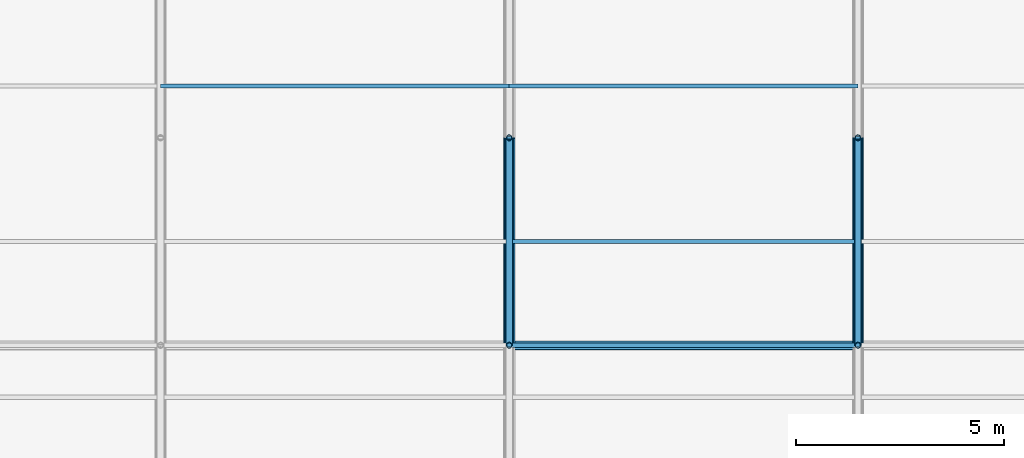
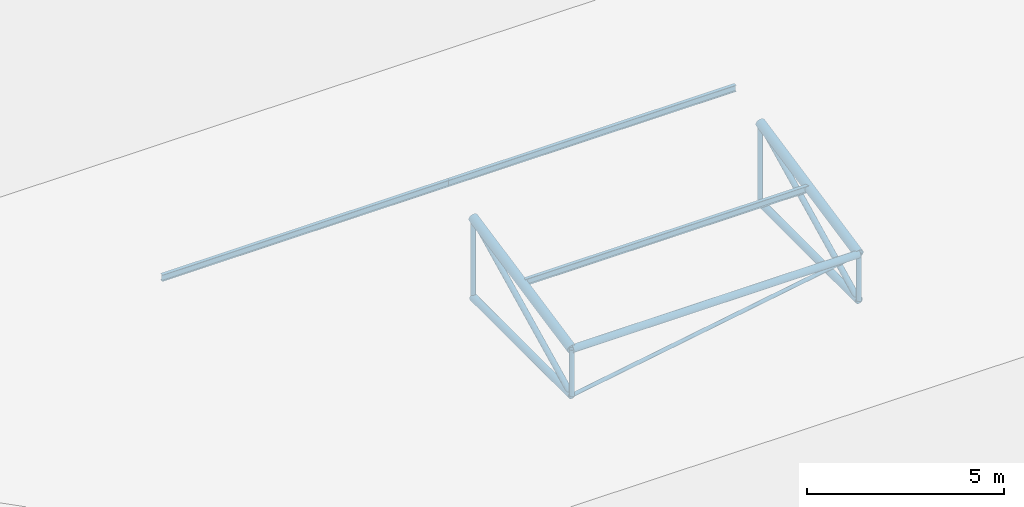
# One storey, part 42 of 194: 12 members, 3 beams.
"""IFC4 building model written with IfcOpenShell, lengths in metres."""

from ifc_helpers import new_model, si_unit, direction, frame, origin, origin_2d, place, context, subcontext, project, spatial, hollow_circle, i_section, extrude, material, material_profile, profile_set, type_object, element, save


model = new_model("IFC4")

# Units and contexts
model_context = context("Model", 3, precision=1e-05, world=origin(), true_north=direction((0.0, 1.0)))
body_context = subcontext(model_context, "Body", "Model", "MODEL_VIEW")
ifc_project = project(units=[si_unit("LENGTHUNIT", "METRE"), si_unit("AREAUNIT", "SQUARE_METRE"), si_unit("VOLUMEUNIT", "CUBIC_METRE"), si_unit("PLANEANGLEUNIT", "RADIAN"), si_unit("MASSUNIT", "GRAM", prefix="KILO")], contexts=[model_context])

# Site, building, storey
site_placement = place(None, origin())
site = spatial("IfcSite", under=ifc_project, at=site_placement, CompositionType="ELEMENT")
building_placement = place(site_placement, origin())
building = spatial("IfcBuilding", under=site, at=building_placement, Name="Kazenagashi Tramway Depot", CompositionType="ELEMENT")
storey_placement = place(building_placement, frame((0.0, 0.0, 23.7)))
storey = spatial("IfcBuildingStorey", under=building, at=storey_placement, Name="ROOF", CompositionType="ELEMENT", Elevation=23.7)

# Beams
ifc_material_1 = material(Name="Steel SN400B", Category="steel")
ifc_material_profile_1 = material_profile(ifc_material_1, i_section(OverallWidth=0.1, OverallDepth=0.2, WebThickness=0.0055, FlangeThickness=0.008, at=origin_2d()), Name="H-200x100x5.5x8")
ifc_profile_set_1 = profile_set([ifc_material_profile_1], Name="Steel SN400B")
beam_type = type_object("IfcBeamType", Name="PR-01", PredefinedType="USERDEFINED", material=ifc_profile_set_1)
for number, where, z_axis, x_axis, name in (
    (1, (86.8, 107.5, -12.13), (1.0, 0.0, 0.0), (0.0, 1.0, 0.0), "Beam PR-01 BM-2149"),
    (2, (78.4, 111.25, -11.305), (1.0, 0.0, 0.0), (0.0, 1.0, 0.0), "Beam PR-01 BM-2166"),
    (3, (86.8, 111.25, -11.305), (1.0, 0.0, 0.0), (0.0, 1.0, 0.0), "Beam PR-01 BM-2167"),
):
    element("IfcBeam", number, at=place(storey_placement, frame(where, z_axis=z_axis, x_axis=x_axis)), inside=storey, type_object=beam_type, Name=name, ObjectType="PURLIN", PredefinedType="USERDEFINED", context=body_context, shape_type="SweptSolid", body=[
        extrude(i_section(OverallWidth=0.1, OverallDepth=0.2, WebThickness=0.0055, FlangeThickness=0.008, at=origin_2d()), origin(), (0.0, 0.0, 1.0), 8.4),
    ])

# Members
ifc_material_2 = material(Name="Steel STK490", Category="steel")
ifc_material_profile_2 = material_profile(ifc_material_2, hollow_circle(Radius=0.1337, WallThickness=0.0093, at=origin_2d()), Name="CHS-267.4x9.3")
ifc_profile_set_2 = profile_set([ifc_material_profile_2], Name="Steel STK490")
member_type_1 = type_object("IfcMemberType", Name="TC-01", PredefinedType="CHORD", material=ifc_profile_set_2)
for number, where, z_axis, x_axis, name in (
    (4, (86.8, 105.0, -12.667), (0.0, 0.979279174591, 0.202514933305), (-1.0, 0.0, 0.0), "Tubular Space Frame TC-01 MEM-0340"),
    (5, (95.2, 105.0, -12.667), (0.0, 0.979279174591, 0.202514933305), (-1.0, 0.0, 0.0), "Tubular Space Frame TC-01 MEM-0401"),
):
    element("IfcMember", number, at=place(storey_placement, frame(where, z_axis=z_axis, x_axis=x_axis)), inside=storey, type_object=member_type_1, Name=name, PredefinedType="CHORD", context=body_context, shape_type="SweptSolid", body=[
        extrude(hollow_circle(Radius=0.1337, WallThickness=0.0093, at=origin_2d()), origin(), (0.0, 0.0, 1.0), 5.105796),
    ])
ifc_material_profile_3 = material_profile(ifc_material_2, hollow_circle(Radius=0.10815, WallThickness=0.0082, at=origin_2d()), Name="CHS-216.3x8.2")
ifc_profile_set_3 = profile_set([ifc_material_profile_3], Name="Steel STK490")
member_type_2 = type_object("IfcMemberType", Name="TC-02", PredefinedType="CHORD", material=ifc_profile_set_3)
member_1_placement = place(storey_placement, frame((86.8, 105.0, -14.1), z_axis=(0.0, 1.0, 0.0), x_axis=(-1.0, 0.0, 0.0)))
element("IfcMember", 6, at=member_1_placement, inside=storey, type_object=member_type_2, Name="Tubular Space Frame TC-02 MEM-0341", PredefinedType="CHORD", context=body_context, shape_type="SweptSolid", body=[
    extrude(hollow_circle(Radius=0.10815, WallThickness=0.0082, at=origin_2d()), origin(), (0.0, 0.0, 1.0), 5.0),
])
member_2_placement = place(storey_placement, frame((86.8, 105.0, -12.667), z_axis=(1.0, 0.0, 0.0), x_axis=(0.0, 1.0, 0.0)))
element("IfcMember", 7, at=member_2_placement, inside=storey, type_object=member_type_2, Name="Tubular Space Frame TC-02 MEM-0361", PredefinedType="CHORD", context=body_context, shape_type="SweptSolid", body=[
    extrude(hollow_circle(Radius=0.10815, WallThickness=0.0082, at=origin_2d()), origin(), (0.0, 0.0, 1.0), 8.4),
])
member_3_placement = place(storey_placement, frame((95.2, 105.0, -14.1), z_axis=(0.0, 1.0, 0.0), x_axis=(-1.0, 0.0, 0.0)))
element("IfcMember", 8, at=member_3_placement, inside=storey, type_object=member_type_2, Name="Tubular Space Frame TC-02 MEM-0402", PredefinedType="CHORD", context=body_context, shape_type="SweptSolid", body=[
    extrude(hollow_circle(Radius=0.10815, WallThickness=0.0082, at=origin_2d()), origin(), (0.0, 0.0, 1.0), 5.0),
])
ifc_material_profile_4 = material_profile(ifc_material_2, hollow_circle(Radius=0.0826, WallThickness=0.0071, at=origin_2d()), Name="CHS-165.2x7.1")
ifc_profile_set_4 = profile_set([ifc_material_profile_4], Name="Steel STK490")
member_type_3 = type_object("IfcMemberType", Name="TS-01", PredefinedType="STRUT", material=ifc_profile_set_4)
for number, where, z_axis, x_axis, name in (
    (9, (86.8, 105.0, -14.1), (0.0, 0.896782162482, 0.442472318969), (-1.0, 0.0, 0.0), "Tubular Space Frame TS-01 MEM-0342"),
    (10, (95.2, 105.0, -14.1), (0.0, 0.896782162482, 0.442472318969), (-1.0, 0.0, 0.0), "Tubular Space Frame TS-01 MEM-0403"),
):
    element("IfcMember", number, at=place(storey_placement, frame(where, z_axis=z_axis, x_axis=x_axis)), inside=storey, type_object=member_type_3, Name=name, PredefinedType="STRUT", context=body_context, shape_type="SweptSolid", body=[
        extrude(hollow_circle(Radius=0.0826, WallThickness=0.0071, at=origin_2d()), origin(), (0.0, 0.0, 1.0), 5.57549),
    ])
ifc_material_profile_5 = material_profile(ifc_material_2, hollow_circle(Radius=0.0699, WallThickness=0.0066, at=origin_2d()), Name="CHS-139.8x6.6")
ifc_profile_set_5 = profile_set([ifc_material_profile_5], Name="Steel STK490")
member_type_4 = type_object("IfcMemberType", Name="TS-02", PredefinedType="STRUT", material=ifc_profile_set_5)
member_4_placement = place(storey_placement, frame((86.8, 105.0, -14.1), z_axis=(0.0, 0.0, 1.0), x_axis=(1.0, 0.0, 0.0)))
element("IfcMember", 11, at=member_4_placement, inside=storey, type_object=member_type_4, Name="Tubular Space Frame TS-02 MEM-0355", PredefinedType="STRUT", context=body_context, shape_type="SweptSolid", body=[
    extrude(hollow_circle(Radius=0.0699, WallThickness=0.0066, at=origin_2d()), origin(), (0.0, 0.0, 1.0), 1.433),
])
member_5_placement = place(storey_placement, frame((86.8, 110.0, -14.1), z_axis=(0.0, 0.0, 1.0), x_axis=(1.0, 0.0, 0.0)))
element("IfcMember", 12, at=member_5_placement, inside=storey, type_object=member_type_4, Name="Tubular Space Frame TS-02 MEM-0356", PredefinedType="STRUT", context=body_context, shape_type="SweptSolid", body=[
    extrude(hollow_circle(Radius=0.0699, WallThickness=0.0066, at=origin_2d()), origin(), (0.0, 0.0, 1.0), 2.467),
])
member_6_placement = place(storey_placement, frame((95.2, 105.0, -14.1), z_axis=(0.0, 0.0, 1.0), x_axis=(1.0, 0.0, 0.0)))
element("IfcMember", 13, at=member_6_placement, inside=storey, type_object=member_type_4, Name="Tubular Space Frame TS-02 MEM-0416", PredefinedType="STRUT", context=body_context, shape_type="SweptSolid", body=[
    extrude(hollow_circle(Radius=0.0699, WallThickness=0.0066, at=origin_2d()), origin(), (0.0, 0.0, 1.0), 1.433),
])
member_7_placement = place(storey_placement, frame((95.2, 110.0, -14.1), z_axis=(0.0, 0.0, 1.0), x_axis=(1.0, 0.0, 0.0)))
element("IfcMember", 14, at=member_7_placement, inside=storey, type_object=member_type_4, Name="Tubular Space Frame TS-02 MEM-0417", PredefinedType="STRUT", context=body_context, shape_type="SweptSolid", body=[
    extrude(hollow_circle(Radius=0.0699, WallThickness=0.0066, at=origin_2d()), origin(), (0.0, 0.0, 1.0), 2.467),
])
ifc_material_3 = material(Name="Steel STK400", Category="steel")
ifc_material_profile_6 = material_profile(ifc_material_3, hollow_circle(Radius=0.05715, WallThickness=0.0045, at=origin_2d()), Name="CHS-114.3x4.5")
ifc_profile_set_6 = profile_set([ifc_material_profile_6], Name="Steel STK400")
member_type_5 = type_object("IfcMemberType", Name="TS-03", PredefinedType="STRUT", material=ifc_profile_set_6)
member_8_placement = place(storey_placement, frame((86.8, 105.0, -14.1), z_axis=(0.985758734117, 0.0, 0.168165745951), x_axis=(0.0, 1.0, 0.0)))
element("IfcMember", 15, at=member_8_placement, inside=storey, type_object=member_type_5, Name="Tubular Space Frame TS-03 MEM-0362", PredefinedType="STRUT", context=body_context, shape_type="SweptSolid", body=[
    extrude(hollow_circle(Radius=0.05715, WallThickness=0.0045, at=origin_2d()), origin(), (0.0, 0.0, 1.0), 8.521355),
])

save(model, "model.ifc")
